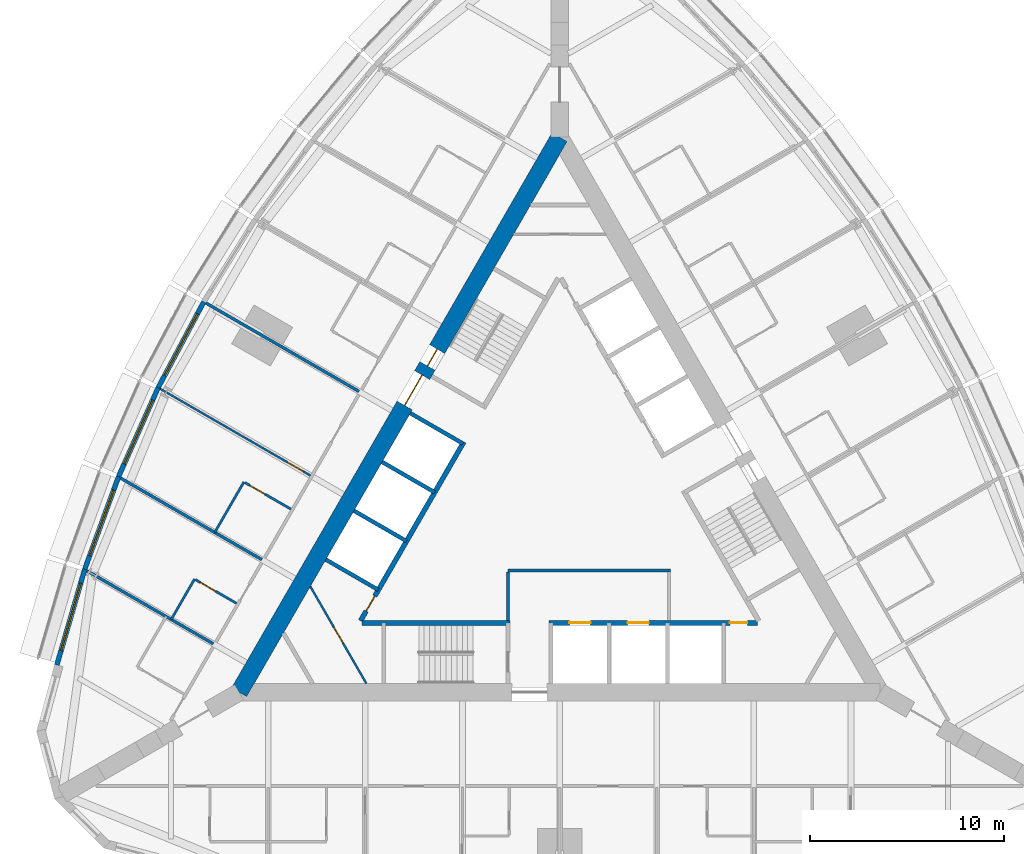
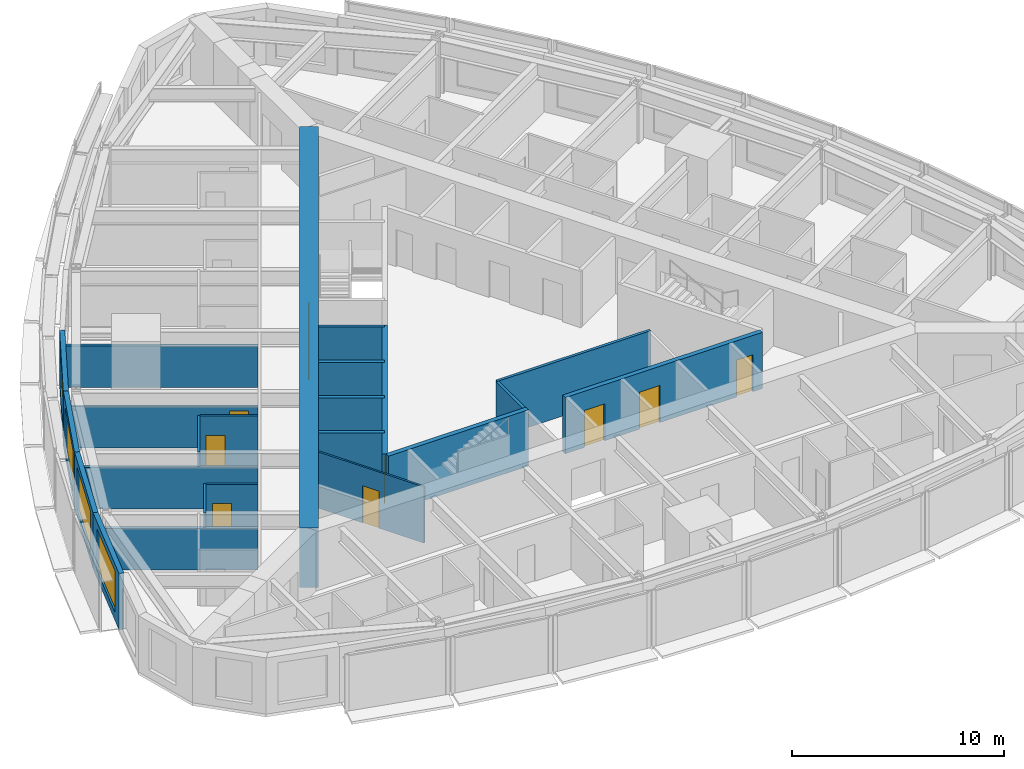
# One storey, part 9 of 14: 23 walls, 10 doors, 4 windows, 14 openings.
"""IFC4 building model written with IfcOpenShell, lengths in metres."""

from ifc_helpers import new_model, si_unit, direction, frame, frame_2d, origin, place, context, subcontext, project, spatial, rectangle, extrude, material, layer, layer_set, type_object, element, fill, save


model = new_model("IFC4")

# Units and contexts
model_context = context("Model", 3, precision=1e-05, world=origin(), true_north=direction((0.0, 1.0)))
body_context = subcontext(model_context, "Body", "Model", "MODEL_VIEW")
ifc_project = project(units=[si_unit("LENGTHUNIT", "METRE"), si_unit("AREAUNIT", "SQUARE_METRE"), si_unit("VOLUMEUNIT", "CUBIC_METRE"), si_unit("PLANEANGLEUNIT", "RADIAN"), si_unit("MASSUNIT", "GRAM", prefix="KILO")], contexts=[model_context])

# Site, building, storey
site_placement = place(None, origin())
site = spatial("IfcSite", under=ifc_project, at=site_placement, CompositionType="ELEMENT")
building_placement = place(site_placement, origin())
building = spatial("IfcBuilding", under=site, at=building_placement, Name="Trikona Tower", CompositionType="ELEMENT")
storey_placement = place(building_placement, frame((0.0, 0.0, 141.89990234375)))
storey = spatial("IfcBuildingStorey", under=building, at=storey_placement, Name="L37", CompositionType="ELEMENT", Elevation=141.89990234375)

# Wall
ifc_material_1 = material(Name="Metal stud and cement board", Category="gypsum")
ifc_layer_1 = layer(ifc_material_1, 0.1201171875)
ifc_layer_set_1 = layer_set([ifc_layer_1], Name="Bathroom wall 120")
wall_type_1 = type_object("IfcWallType", Name="Bathroom wall 120", PredefinedType="PLUMBINGWALL", material=ifc_layer_set_1)
wall_1_placement = place(storey_placement, frame((-16.25341796875, 1.301025390625, 0.0), z_axis=(0.0, 0.0, 1.0), x_axis=(-0.499990139034, -0.866031096941, 0.0)))
element("IfcWall", 1, at=wall_1_placement, inside=storey, type_object=wall_type_1, Name="Bathroom wall 3714.1", PredefinedType="PLUMBINGWALL", context=body_context, shape_type="SweptSolid", body=[
    extrude(rectangle(XDim=3.0, YDim=0.1201171875, at=frame_2d((1.5, 0.0))), origin(), (0.0, 0.0, 1.0), 3.235107421875),
])

# Wall, opening, door
wall_2_placement = place(storey_placement, frame((-13.82861328125, -0.09912109375, 0.0), z_axis=(0.0, 0.0, 1.0), x_axis=(-0.865997131366, 0.500048966069, 0.0)))
wall_2 = element("IfcWall", 2, at=wall_2_placement, inside=storey, type_object=wall_type_1, Name="Bathroom wall 3714.1", PredefinedType="PLUMBINGWALL", context=body_context, shape_type="SweptSolid", body=[
    extrude(rectangle(XDim=2.739990234375, YDim=0.1201171875, at=frame_2d((1.3701171875, 0.0))), origin(), (0.0, 0.0, 1.0), 3.235107421875),
])
opening_1_placement = place(wall_2_placement, frame((1.550048828125, 0.0, 0.0)))
opening_1 = element("IfcOpeningElement", 3, at=opening_1_placement, cuts=wall_2, Name="Opening D2", PredefinedType="OPENING", context=body_context, shape_type="SweptSolid", body=[
    extrude(rectangle(XDim=0.89990234375, YDim=2.1298828125, at=frame_2d((0.449951171875, 1.06494140625))), frame((0.0, 0.070068359375, 0.0), z_axis=(0.0, -1.0, 0.0), x_axis=(1.0, 0.0, 0.0)), (0.0, 0.0, 1.0), 0.14013671875),
])
ifc_material_2 = material(Name="Steel door frame with solid-core timber leaf", Category="steel")
door_type_1 = type_object("IfcDoorType", Name="Bathroom door 900x2130", OperationType="SLIDING_TO_LEFT", PredefinedType="DOOR", material=ifc_material_2)
door_1_placement = place(opening_1_placement, origin())
door_1 = element("IfcDoor", 4, at=door_1_placement, inside=storey, type_object=door_type_1, Name="Bathroom door 3714.1", OperationType="SLIDING_TO_LEFT", OverallHeight=2.1298828125, OverallWidth=0.89990234375, PredefinedType="DOOR", context=body_context, shape_type="SweptSolid", body=[
    extrude(rectangle(XDim=0.89990234375, YDim=2.1298828125, at=frame_2d((0.449951171875, 1.06494140625))), frame((0.0, 0.02490234375, 0.0), z_axis=(0.0, -1.0, 0.0), x_axis=(1.0, 0.0, 0.0)), (0.0, 0.0, 1.0), 0.050048828125),
])
fill(opening_1, door_1)

# Wall
wall_3_placement = place(storey_placement, frame((-18.79345703125, -3.69873046875, 0.0), z_axis=(0.0, 0.0, 1.0), x_axis=(-0.500001309137, -0.866024647952, 0.0)))
element("IfcWall", 5, at=wall_3_placement, inside=storey, type_object=wall_type_1, Name="Bathroom wall 3715", PredefinedType="PLUMBINGWALL", context=body_context, shape_type="SweptSolid", body=[
    extrude(rectangle(XDim=2.39990234375, YDim=0.1201171875, at=frame_2d((1.199951171875, 0.0))), origin(), (0.0, 0.0, 1.0), 3.235107421875),
])

# Wall, opening, door
wall_4_placement = place(storey_placement, frame((-16.62841796875, -4.94873046875, 0.0), z_axis=(0.0, 0.0, 1.0), x_axis=(-0.866048967903, 0.499959183527, 0.0)))
wall_4 = element("IfcWall", 6, at=wall_4_placement, inside=storey, type_object=wall_type_1, Name="Bathroom wall 3715", PredefinedType="PLUMBINGWALL", context=body_context, shape_type="SweptSolid", body=[
    extrude(rectangle(XDim=2.440185546875, YDim=0.1201171875, at=frame_2d((1.22021484375, 0.0))), origin(), (0.0, 0.0, 1.0), 3.235107421875),
])
opening_2_placement = place(wall_4_placement, frame((1.25, 0.0, 0.0)))
opening_2 = element("IfcOpeningElement", 7, at=opening_2_placement, cuts=wall_4, Name="Opening D2", PredefinedType="OPENING", context=body_context, shape_type="SweptSolid", body=[
    extrude(rectangle(XDim=0.89990234375, YDim=2.1298828125, at=frame_2d((0.449951171875, 1.06494140625))), frame((0.0, 0.070068359375, 0.0), z_axis=(0.0, -1.0, 0.0), x_axis=(1.0, 0.0, 0.0)), (0.0, 0.0, 1.0), 0.14013671875),
])
door_2_placement = place(opening_2_placement, origin())
door_2 = element("IfcDoor", 8, at=door_2_placement, inside=storey, type_object=door_type_1, Name="Bathroom door 3715", OperationType="SLIDING_TO_LEFT", OverallHeight=2.1298828125, OverallWidth=0.89990234375, PredefinedType="DOOR", context=body_context, shape_type="SweptSolid", body=[
    extrude(rectangle(XDim=0.89990234375, YDim=2.1298828125, at=frame_2d((0.449951171875, 1.06494140625))), frame((0.0, 0.02490234375, 0.0), z_axis=(0.0, -1.0, 0.0), x_axis=(1.0, 0.0, 0.0)), (0.0, 0.0, 1.0), 0.050048828125),
])
fill(opening_2, door_2)

# Wall, openings, doors
ifc_material_3 = material(Name="Concrete f'c 10000 psi", Category="concrete")
ifc_layer_2 = layer(ifc_material_3, 0.89990234375)
ifc_layer_set_2 = layer_set([ifc_layer_2], Name="Core wall 900")
wall_type_2 = type_object("IfcWallType", Name="Core wall 900", PredefinedType="SHEAR", material=ifc_layer_set_2)
wall_5_placement = place(storey_placement, frame((0.0, 19.052490234375, 0.0), z_axis=(0.0, 0.0, 1.0), x_axis=(-0.499999749417, -0.866025548458, 0.0)))
wall_5 = element("IfcWall", 9, at=wall_5_placement, inside=storey, type_object=wall_type_2, Name="Core wall C", PredefinedType="SHEAR", context=body_context, shape_type="SweptSolid", body=[
    extrude(rectangle(XDim=33.0, YDim=0.89990234375, at=frame_2d((16.5, 0.0))), origin(), (0.0, 0.0, 1.0), 3.400146484375),
])
opening_3_placement = place(wall_5_placement, frame((14.14990234375, 0.0, 0.0)))
opening_3 = element("IfcOpeningElement", 10, at=opening_3_placement, cuts=wall_5, Name="Opening D6", PredefinedType="OPENING", context=body_context, shape_type="SweptSolid", body=[
    extrude(rectangle(XDim=1.800048828125, YDim=2.1298828125, at=frame_2d((0.89990234375, 1.06494140625))), frame((0.0, 0.4599609375, 0.0), z_axis=(0.0, -1.0, 0.0), x_axis=(1.0, 0.0, 0.0)), (0.0, 0.0, 1.0), 0.919921875),
])
opening_4_placement = place(wall_5_placement, frame((12.60009765625, 0.0, 0.0)))
opening_4 = element("IfcOpeningElement", 11, at=opening_4_placement, cuts=wall_5, Name="Opening D5", PredefinedType="OPENING", context=body_context, shape_type="SweptSolid", body=[
    extrude(rectangle(XDim=1.0, YDim=2.1298828125, at=frame_2d((0.5, 1.06494140625))), frame((0.0, 0.4599609375, 0.0), z_axis=(0.0, -1.0, 0.0), x_axis=(1.0, 0.0, 0.0)), (0.0, 0.0, 1.0), 0.919921875),
])
ifc_material_4 = material(Name="Hollow metal door and frame", Category="steel")
door_type_2 = type_object("IfcDoorType", Name="Lobby door pair 1800x2130", OperationType="DOUBLE_DOOR_SINGLE_SWING", PredefinedType="DOOR", material=ifc_material_4)
door_3_placement = place(opening_3_placement, origin())
door_3 = element("IfcDoor", 12, at=door_3_placement, inside=storey, type_object=door_type_2, Name="Lift lobby door C", OperationType="DOUBLE_DOOR_SINGLE_SWING", OverallHeight=2.1298828125, OverallWidth=1.800048828125, PredefinedType="DOOR", context=body_context, shape_type="SweptSolid", body=[
    extrude(rectangle(XDim=1.800048828125, YDim=2.1298828125, at=frame_2d((0.89990234375, 1.06494140625))), frame((0.0, 0.02490234375, 0.0), z_axis=(0.0, -1.0, 0.0), x_axis=(1.0, 0.0, 0.0)), (0.0, 0.0, 1.0), 0.050048828125),
])
fill(opening_3, door_3)
ifc_material_5 = material(Name="Hollow metal door and frame", Category="steel")
door_type_3 = type_object("IfcDoorType", Name="Stair door 1000x2130", OperationType="SINGLE_SWING_LEFT", PredefinedType="DOOR", material=ifc_material_5)
door_4_placement = place(opening_4_placement, origin())
door_4 = element("IfcDoor", 13, at=door_4_placement, inside=storey, type_object=door_type_3, Name="Stair C door", OperationType="SINGLE_SWING_RIGHT", OverallHeight=2.1298828125, OverallWidth=1.0, PredefinedType="DOOR", context=body_context, shape_type="SweptSolid", body=[
    extrude(rectangle(XDim=1.0, YDim=2.1298828125, at=frame_2d((0.5, 1.06494140625))), frame((0.0, 0.02490234375, 0.0), z_axis=(0.0, -1.0, 0.0), x_axis=(1.0, 0.0, 0.0)), (0.0, 0.0, 1.0), 0.050048828125),
])
fill(opening_4, door_4)

# Wall
ifc_material_6 = material(Name="Concrete f'c 8000 psi", Category="concrete")
ifc_layer_3 = layer(ifc_material_6, 0.25)
ifc_layer_set_3 = layer_set([ifc_layer_3], Name="Hub wall 250")
wall_type_3 = type_object("IfcWallType", Name="Hub wall 250", PredefinedType="SOLIDWALL", material=ifc_layer_set_3)
wall_6_placement = place(storey_placement, frame((-10.182861328125, -5.951416015625, 0.0), z_axis=(0.0, 0.0, 1.0), x_axis=(1.0, 0.0, 0.0)))
element("IfcWall", 14, at=wall_6_placement, inside=storey, type_object=wall_type_3, Name="Lift lobby wall A1", PredefinedType="SOLIDWALL", context=body_context, shape_type="SweptSolid", body=[
    extrude(rectangle(XDim=7.6328125, YDim=0.25, at=frame_2d((3.81640625, 0.0))), origin(), (0.0, 0.0, 1.0), 3.235107421875),
])

# Wall, openings, doors
wall_7_placement = place(storey_placement, frame((-0.550048828125, -5.951416015625, 0.0), z_axis=(0.0, 0.0, 1.0), x_axis=(1.0, 0.0, 0.0)))
wall_7 = element("IfcWall", 15, at=wall_7_placement, inside=storey, type_object=wall_type_3, Name="Lift lobby wall A2", PredefinedType="SOLIDWALL", context=body_context, shape_type="SweptSolid", body=[
    extrude(rectangle(XDim=10.73291015625, YDim=0.25, at=frame_2d((5.366455078125, 0.0))), origin(), (0.0, 0.0, 1.0), 3.235107421875),
])
opening_5_placement = place(wall_7_placement, frame((9.31396484375, 0.0, 0.0)))
opening_5 = element("IfcOpeningElement", 16, at=opening_5_placement, cuts=wall_7, Name="Opening D14", PredefinedType="OPENING", context=body_context, shape_type="SweptSolid", body=[
    extrude(rectangle(XDim=0.89990234375, YDim=2.1298828125, at=frame_2d((0.449951171875, 1.06494140625))), frame((0.0, 0.135009765625, 0.0), z_axis=(0.0, -1.0, 0.0), x_axis=(1.0, 0.0, 0.0)), (0.0, 0.0, 1.0), 0.27001953125),
])
opening_6_placement = place(wall_7_placement, frame((1.050048828125, 0.0, 0.0)))
opening_6 = element("IfcOpeningElement", 17, at=opening_6_placement, cuts=wall_7, Name="Opening LD", PredefinedType="OPENING", context=body_context, shape_type="SweptSolid", body=[
    extrude(rectangle(XDim=1.10009765625, YDim=2.1298828125, at=frame_2d((0.550048828125, 1.06494140625))), frame((0.0, 0.135009765625, 0.0), z_axis=(0.0, -1.0, 0.0), x_axis=(1.0, 0.0, 0.0)), (0.0, 0.0, 1.0), 0.27001953125),
])
opening_7_placement = place(wall_7_placement, frame((4.050048828125, 0.0, 0.0)))
opening_7 = element("IfcOpeningElement", 18, at=opening_7_placement, cuts=wall_7, Name="Opening LD", PredefinedType="OPENING", context=body_context, shape_type="SweptSolid", body=[
    extrude(rectangle(XDim=1.10009765625, YDim=2.1298828125, at=frame_2d((0.550048828125, 1.06494140625))), frame((0.0, 0.135009765625, 0.0), z_axis=(0.0, -1.0, 0.0), x_axis=(1.0, 0.0, 0.0)), (0.0, 0.0, 1.0), 0.27001953125),
])
ifc_material_7 = material(Name="Stainless steel lift landing door", Category="steel")
door_type_4 = type_object("IfcDoorType", Name="Lift landing door 1100x2130", OperationType="DOUBLE_DOOR_SLIDING", PredefinedType="USERDEFINED", material=ifc_material_7)
door_5_placement = place(opening_6_placement, origin())
door_5 = element("IfcDoor", 19, at=door_5_placement, inside=storey, type_object=door_type_4, Name="Lift landing door FF1", ObjectType="LIFT LANDING DOOR", OperationType="DOUBLE_DOOR_SLIDING", OverallHeight=2.1298828125, OverallWidth=1.10009765625, PredefinedType="USERDEFINED", context=body_context, shape_type="SweptSolid", body=[
    extrude(rectangle(XDim=1.10009765625, YDim=2.1298828125, at=frame_2d((0.550048828125, 1.06494140625))), frame((0.0, 0.02490234375, 0.0), z_axis=(0.0, -1.0, 0.0), x_axis=(1.0, 0.0, 0.0)), (0.0, 0.0, 1.0), 0.050048828125),
])
fill(opening_6, door_5)
door_6_placement = place(opening_7_placement, origin())
door_6 = element("IfcDoor", 20, at=door_6_placement, inside=storey, type_object=door_type_4, Name="Lift landing door FF2", ObjectType="LIFT LANDING DOOR", OperationType="DOUBLE_DOOR_SLIDING", OverallHeight=2.1298828125, OverallWidth=1.10009765625, PredefinedType="USERDEFINED", context=body_context, shape_type="SweptSolid", body=[
    extrude(rectangle(XDim=1.10009765625, YDim=2.1298828125, at=frame_2d((0.550048828125, 1.06494140625))), frame((0.0, 0.02490234375, 0.0), z_axis=(0.0, -1.0, 0.0), x_axis=(1.0, 0.0, 0.0)), (0.0, 0.0, 1.0), 0.050048828125),
])
fill(opening_7, door_6)
ifc_material_8 = material(Name="Hollow metal door and frame", Category="steel")
door_type_5 = type_object("IfcDoorType", Name="Service room door 900x2130", OperationType="SINGLE_SWING_LEFT", PredefinedType="DOOR", material=ifc_material_8)
door_7_placement = place(opening_5_placement, origin())
door_7 = element("IfcDoor", 21, at=door_7_placement, inside=storey, type_object=door_type_5, Name="Door Ice and vending ICE", OperationType="SINGLE_SWING_RIGHT", OverallHeight=2.1298828125, OverallWidth=0.89990234375, PredefinedType="DOOR", context=body_context, shape_type="SweptSolid", body=[
    extrude(rectangle(XDim=0.89990234375, YDim=2.1298828125, at=frame_2d((0.449951171875, 1.06494140625))), frame((0.0, 0.02490234375, 0.0), z_axis=(0.0, -1.0, 0.0), x_axis=(1.0, 0.0, 0.0)), (0.0, 0.0, 1.0), 0.050048828125),
])
fill(opening_5, door_7)

# Wall, opening, door
wall_8_placement = place(storey_placement, frame((-4.928955078125, 3.365478515625, 0.0), z_axis=(0.0, 0.0, 1.0), x_axis=(-0.499991433582, -0.866030349552, 0.0)))
wall_8 = element("IfcWall", 22, at=wall_8_placement, inside=storey, type_object=wall_type_3, Name="Lift lobby wall C2", PredefinedType="SOLIDWALL", context=body_context, shape_type="SweptSolid", body=[
    extrude(rectangle(XDim=10.633056640625, YDim=0.25, at=frame_2d((5.31640625, 0.0))), origin(), (0.0, 0.0, 1.0), 3.235107421875),
])
opening_8_placement = place(wall_8_placement, frame((9.1640625, 0.0, 0.0)))
opening_8 = element("IfcOpeningElement", 23, at=opening_8_placement, cuts=wall_8, Name="Opening D14", PredefinedType="OPENING", context=body_context, shape_type="SweptSolid", body=[
    extrude(rectangle(XDim=0.89990234375, YDim=2.1298828125, at=frame_2d((0.449951171875, 1.06494140625))), frame((0.0, 0.135009765625, 0.0), z_axis=(0.0, -1.0, 0.0), x_axis=(1.0, 0.0, 0.0)), (0.0, 0.0, 1.0), 0.27001953125),
])
door_8_placement = place(opening_8_placement, origin())
door_8 = element("IfcDoor", 24, at=door_8_placement, inside=storey, type_object=door_type_5, Name="Door Linen store LIN", OperationType="SINGLE_SWING_RIGHT", OverallHeight=2.1298828125, OverallWidth=0.89990234375, PredefinedType="DOOR", context=body_context, shape_type="SweptSolid", body=[
    extrude(rectangle(XDim=0.89990234375, YDim=2.1298828125, at=frame_2d((0.449951171875, 1.06494140625))), frame((0.0, 0.02490234375, 0.0), z_axis=(0.0, -1.0, 0.0), x_axis=(1.0, 0.0, 0.0)), (0.0, 0.0, 1.0), 0.050048828125),
])
fill(opening_8, door_8)

# Wall, opening, window
ifc_material_9 = material(Name="Insulated precast concrete spandrel panel", Category="concrete")
ifc_layer_4 = layer(ifc_material_9, 0.25)
ifc_layer_set_4 = layer_set([ifc_layer_4], Name="Inner skin wall 250")
wall_type_4 = type_object("IfcWallType", Name="Inner skin wall 250", PredefinedType="STANDARD", material=ifc_layer_set_4)
wall_9_placement = place(storey_placement, frame((-18.314453125, 10.578857421875, 0.0), z_axis=(0.0, 0.0, 1.0), x_axis=(-0.469404966864, -0.882982999317, 0.0)))
wall_9 = element("IfcWall", 25, at=wall_9_placement, inside=storey, type_object=wall_type_4, Name="External wall L37-28", PredefinedType="STANDARD", context=body_context, shape_type="SweptSolid", body=[
    extrude(rectangle(XDim=5.0029296875, YDim=0.25, at=frame_2d((2.50146484375, 0.0))), origin(), (0.0, 0.0, 1.0), 3.235107421875),
])
opening_9_placement = place(wall_9_placement, frame((0.701416015625, 0.0, 0.449951171875)))
opening_9 = element("IfcOpeningElement", 26, at=opening_9_placement, cuts=wall_9, Name="Opening W3624", PredefinedType="OPENING", context=body_context, shape_type="SweptSolid", body=[
    extrude(rectangle(XDim=3.60009765625, YDim=2.39990234375, at=frame_2d((1.800048828125, 1.199951171875))), frame((0.0, 0.135009765625, 0.0), z_axis=(0.0, -1.0, 0.0), x_axis=(1.0, 0.0, 0.0)), (0.0, 0.0, 1.0), 0.27001953125),
])
ifc_material_10 = material(Name="Aluminium-framed double glazing", Category="aluminium")
window_type = type_object("IfcWindowType", Name="Window 3600x2400", PartitioningType="SINGLE_PANEL", PredefinedType="WINDOW", material=ifc_material_10)
window_1_placement = place(opening_9_placement, origin())
window_1 = element("IfcWindow", 27, at=window_1_placement, inside=storey, type_object=window_type, Name="Window 3714", OverallHeight=2.39990234375, OverallWidth=3.60009765625, PartitioningType="SINGLE_PANEL", PredefinedType="WINDOW", context=body_context, shape_type="SweptSolid", body=[
    extrude(rectangle(XDim=3.60009765625, YDim=2.39990234375, at=frame_2d((1.800048828125, 1.199951171875))), frame((0.0, 0.030029296875, 0.0), z_axis=(0.0, -1.0, 0.0), x_axis=(1.0, 0.0, 0.0)), (0.0, 0.0, 1.0), 0.06005859375),
])
fill(opening_9, window_1)

wall_10_placement = place(storey_placement, frame((-20.6591796875, 6.169189453125, 0.0), z_axis=(0.0, 0.0, 1.0), x_axis=(-0.406832200364, -0.913502906808, 0.0)))
wall_10 = element("IfcWall", 28, at=wall_10_placement, inside=storey, type_object=wall_type_4, Name="External wall L37-29", PredefinedType="STANDARD", context=body_context, shape_type="SweptSolid", body=[
    extrude(rectangle(XDim=5.027587890625, YDim=0.25, at=frame_2d((2.513671875, 0.0))), origin(), (0.0, 0.0, 1.0), 3.235107421875),
])
opening_10_placement = place(wall_10_placement, frame((0.713623046875, 0.0, 0.449951171875)))
opening_10 = element("IfcOpeningElement", 29, at=opening_10_placement, cuts=wall_10, Name="Opening W3624", PredefinedType="OPENING", context=body_context, shape_type="SweptSolid", body=[
    extrude(rectangle(XDim=3.60009765625, YDim=2.39990234375, at=frame_2d((1.800048828125, 1.199951171875))), frame((0.0, 0.135009765625, 0.0), z_axis=(0.0, -1.0, 0.0), x_axis=(1.0, 0.0, 0.0)), (0.0, 0.0, 1.0), 0.27001953125),
])
window_2_placement = place(opening_10_placement, origin())
window_2 = element("IfcWindow", 30, at=window_2_placement, inside=storey, type_object=window_type, Name="Window 3714.1", OverallHeight=2.39990234375, OverallWidth=3.60009765625, PartitioningType="SINGLE_PANEL", PredefinedType="WINDOW", context=body_context, shape_type="SweptSolid", body=[
    extrude(rectangle(XDim=3.60009765625, YDim=2.39990234375, at=frame_2d((1.800048828125, 1.199951171875))), frame((0.0, 0.030029296875, 0.0), z_axis=(0.0, -1.0, 0.0), x_axis=(1.0, 0.0, 0.0)), (0.0, 0.0, 1.0), 0.06005859375),
])
fill(opening_10, window_2)

wall_11_placement = place(storey_placement, frame((-22.701416015625, 1.58447265625, 0.0), z_axis=(0.0, 0.0, 1.0), x_axis=(-0.343225593282, -0.939252996863, 0.0)))
wall_11 = element("IfcWall", 31, at=wall_11_placement, inside=storey, type_object=wall_type_4, Name="External wall L37-30", PredefinedType="STANDARD", context=body_context, shape_type="SweptSolid", body=[
    extrude(rectangle(XDim=5.075927734375, YDim=0.25, at=frame_2d((2.5380859375, 0.0))), origin(), (0.0, 0.0, 1.0), 3.235107421875),
])
opening_11_placement = place(wall_11_placement, frame((0.738037109375, 0.0, 0.449951171875)))
opening_11 = element("IfcOpeningElement", 32, at=opening_11_placement, cuts=wall_11, Name="Opening W3624", PredefinedType="OPENING", context=body_context, shape_type="SweptSolid", body=[
    extrude(rectangle(XDim=3.60009765625, YDim=2.39990234375, at=frame_2d((1.800048828125, 1.199951171875))), frame((0.0, 0.135009765625, 0.0), z_axis=(0.0, -1.0, 0.0), x_axis=(1.0, 0.0, 0.0)), (0.0, 0.0, 1.0), 0.27001953125),
])
window_3_placement = place(opening_11_placement, origin())
window_3 = element("IfcWindow", 33, at=window_3_placement, inside=storey, type_object=window_type, Name="Window 3715", OverallHeight=2.39990234375, OverallWidth=3.60009765625, PartitioningType="SINGLE_PANEL", PredefinedType="WINDOW", context=body_context, shape_type="SweptSolid", body=[
    extrude(rectangle(XDim=3.60009765625, YDim=2.39990234375, at=frame_2d((1.800048828125, 1.199951171875))), frame((0.0, 0.030029296875, 0.0), z_axis=(0.0, -1.0, 0.0), x_axis=(1.0, 0.0, 0.0)), (0.0, 0.0, 1.0), 0.06005859375),
])
fill(opening_11, window_3)

wall_12_placement = place(storey_placement, frame((-24.44091796875, -3.17529296875, 0.0), z_axis=(0.0, 0.0, 1.0), x_axis=(-0.279528287117, -0.960137457191, 0.0)))
wall_12 = element("IfcWall", 34, at=wall_12_placement, inside=storey, type_object=wall_type_4, Name="External wall L37-31", PredefinedType="STANDARD", context=body_context, shape_type="SweptSolid", body=[
    extrude(rectangle(XDim=5.14794921875, YDim=0.25, at=frame_2d((2.573974609375, 0.0))), origin(), (0.0, 0.0, 1.0), 3.235107421875),
])
opening_12_placement = place(wall_12_placement, frame((0.77392578125, 0.0, 0.449951171875)))
opening_12 = element("IfcOpeningElement", 35, at=opening_12_placement, cuts=wall_12, Name="Opening W3624", PredefinedType="OPENING", context=body_context, shape_type="SweptSolid", body=[
    extrude(rectangle(XDim=3.60009765625, YDim=2.39990234375, at=frame_2d((1.800048828125, 1.199951171875))), frame((0.0, 0.135009765625, 0.0), z_axis=(0.0, -1.0, 0.0), x_axis=(1.0, 0.0, 0.0)), (0.0, 0.0, 1.0), 0.27001953125),
])
window_4_placement = place(opening_12_placement, origin())
window_4 = element("IfcWindow", 36, at=window_4_placement, inside=storey, type_object=window_type, Name="Window 3716", OverallHeight=2.39990234375, OverallWidth=3.60009765625, PartitioningType="SINGLE_PANEL", PredefinedType="WINDOW", context=body_context, shape_type="SweptSolid", body=[
    extrude(rectangle(XDim=3.60009765625, YDim=2.39990234375, at=frame_2d((1.800048828125, 1.199951171875))), frame((0.0, 0.030029296875, 0.0), z_axis=(0.0, -1.0, 0.0), x_axis=(1.0, 0.0, 0.0)), (0.0, 0.0, 1.0), 0.06005859375),
])
fill(opening_12, window_4)

# Walls
ifc_material_11 = material(Name="Metal stud and gypsum board, 2-hour shaft wall", Category="gypsum")
ifc_layer_5 = layer(ifc_material_11, 0.14990234375)
ifc_layer_set_5 = layer_set([ifc_layer_5], Name="Lobby wall 150")
wall_type_5 = type_object("IfcWallType", Name="Lobby wall 150", PredefinedType="PARTITIONING", material=ifc_layer_set_5)
wall_13_placement = place(storey_placement, frame((-2.64990234375, -3.251220703125, 0.0), z_axis=(0.0, 0.0, 1.0), x_axis=(1.0, 0.0, 0.0)))
element("IfcWall", 37, at=wall_13_placement, inside=storey, type_object=wall_type_5, Name="Fire service lift lobby wall 1", PredefinedType="PARTITIONING", context=body_context, shape_type="SweptSolid", body=[
    extrude(rectangle(XDim=8.349853515625, YDim=0.14990234375, at=frame_2d((4.1748046875, 0.0))), origin(), (0.0, 0.0, 1.0), 3.235107421875),
])
wall_14_placement = place(storey_placement, frame((-2.64990234375, -5.826416015625, 0.0), z_axis=(0.0, 0.0, 1.0), x_axis=(0.0, 1.0, 0.0)))
element("IfcWall", 38, at=wall_14_placement, inside=storey, type_object=wall_type_5, Name="Fire service lift lobby wall 2", PredefinedType="PARTITIONING", context=body_context, shape_type="SweptSolid", body=[
    extrude(rectangle(XDim=2.5, YDim=0.14990234375, at=frame_2d((1.25, 0.0))), origin(), (0.0, 0.0, 1.0), 3.235107421875),
])
ifc_material_12 = material(Name="Metal stud and gypsum board, 1-hour acoustic", Category="gypsum")
ifc_layer_6 = layer(ifc_material_12, 0.14990234375)
ifc_layer_set_6 = layer_set([ifc_layer_6], Name="Party wall 150")
wall_type_6 = type_object("IfcWallType", Name="Party wall 150", PredefinedType="PARTITIONING", material=ifc_layer_set_6)
wall_15_placement = place(storey_placement, frame((-10.32861328125, 5.963134765625, 0.0), z_axis=(0.0, 0.0, 1.0), x_axis=(-0.866025170687, 0.500000403736, 0.0)))
element("IfcWall", 39, at=wall_15_placement, inside=storey, type_object=wall_type_6, Name="Partition L37 F3 u0", PredefinedType="PARTITIONING", context=body_context, shape_type="SweptSolid", body=[
    extrude(rectangle(XDim=9.0986328125, YDim=0.14990234375, at=frame_2d((4.54931640625, 0.0))), origin(), (0.0, 0.0, 1.0), 2.389404296875),
])
wall_16_placement = place(storey_placement, frame((-15.32861328125, -2.697021484375, 0.0), z_axis=(0.0, 0.0, 1.0), x_axis=(-0.866024316602, 0.50000188305, 0.0)))
element("IfcWall", 40, at=wall_16_placement, inside=storey, type_object=wall_type_6, Name="Partition L37 F3 u10", PredefinedType="PARTITIONING", context=body_context, shape_type="SweptSolid", body=[
    extrude(rectangle(XDim=8.39501953125, YDim=0.14990234375, at=frame_2d((4.197509765625, 0.0))), origin(), (0.0, 0.0, 1.0), 2.389404296875),
])
wall_17_placement = place(storey_placement, frame((-17.82861328125, -7.027099609375, 0.0), z_axis=(0.0, 0.0, 1.0), x_axis=(-0.866029804378, 0.499992377871, 0.0)))
element("IfcWall", 41, at=wall_17_placement, inside=storey, type_object=wall_type_6, Name="Partition L37 F3 u15", PredefinedType="PARTITIONING", context=body_context, shape_type="SweptSolid", body=[
    extrude(rectangle(XDim=7.51611328125, YDim=0.14990234375, at=frame_2d((3.758056640625, 0.0))), origin(), (0.0, 0.0, 1.0), 2.389404296875),
])
ifc_material_13 = material(Name="Concrete f'c 8000 psi", Category="concrete")
ifc_layer_7 = layer(ifc_material_13, 0.199951171875)
ifc_layer_set_7 = layer_set([ifc_layer_7], Name="Shaft wall 200")
wall_type_7 = type_object("IfcWallType", Name="Shaft wall 200", PredefinedType="SOLIDWALL", material=ifc_layer_set_7)
for number, where, z_axis, x_axis, name in (
    (42, (-4.97900390625, 3.27880859375, 0.0), (0.0, 0.0, 1.0), (-0.866022959057, 0.500004234368, 0.0), "Shaft wall C3"),
    (43, (-6.428955078125, 0.767333984375, 0.0), (0.0, 0.0, 1.0), (-0.866022959057, 0.500004234368, 0.0), "Shaft wall C4"),
    (44, (-7.87890625, -1.744140625, 0.0), (0.0, 0.0, 1.0), (-0.866022959057, 0.500004234368, 0.0), "Shaft wall C5"),
    (45, (-9.3291015625, -4.255615234375, 0.0), (0.0, 0.0, 1.0), (-0.866022959057, 0.500004234368, 0.0), "Shaft wall C6"),
):
    element("IfcWall", number, at=place(storey_placement, frame(where, z_axis=z_axis, x_axis=x_axis)), inside=storey, type_object=wall_type_7, Name=name, PredefinedType="SOLIDWALL", context=body_context, shape_type="SweptSolid", body=[
        extrude(rectangle(XDim=3.125, YDim=0.199951171875, at=frame_2d((1.5625, 0.0))), origin(), (0.0, 0.0, 1.0), 3.235107421875),
    ])

# Wall, opening, door
ifc_material_14 = material(Name="Metal stud and gypsum board, acoustic", Category="gypsum")
ifc_layer_8 = layer(ifc_material_14, 0.10009765625)
ifc_layer_set_8 = layer_set([ifc_layer_8], Name="Suite partition 100")
wall_type_8 = type_object("IfcWallType", Name="Suite partition 100", PredefinedType="PARTITIONING", material=ifc_layer_set_8)
wall_18_placement = place(storey_placement, frame((-12.82861328125, 1.633056640625, 0.0), z_axis=(0.0, 0.0, 1.0), x_axis=(-0.866027015393, 0.499997208602, 0.0)))
wall_18 = element("IfcWall", 46, at=wall_18_placement, inside=storey, type_object=wall_type_8, Name="Suite partition L37 F3 u5", PredefinedType="PARTITIONING", context=body_context, shape_type="SweptSolid", body=[
    extrude(rectangle(XDim=8.92236328125, YDim=0.10009765625, at=frame_2d((4.461181640625, 0.0))), origin(), (0.0, 0.0, 1.0), 2.389404296875),
])
opening_13_placement = place(wall_18_placement, frame((0.449951171875, 0.0, 0.0)))
opening_13 = element("IfcOpeningElement", 47, at=opening_13_placement, cuts=wall_18, Name="Opening D13", PredefinedType="OPENING", context=body_context, shape_type="SweptSolid", body=[
    extrude(rectangle(XDim=0.89990234375, YDim=2.1298828125, at=frame_2d((0.449951171875, 1.06494140625))), frame((0.0, 0.06005859375, 0.0), z_axis=(0.0, -1.0, 0.0), x_axis=(1.0, 0.0, 0.0)), (0.0, 0.0, 1.0), 0.1201171875),
])
ifc_material_15 = material(Name="Steel door frame with solid-core timber leaf", Category="steel")
door_type_6 = type_object("IfcDoorType", Name="Suite door 900x2130", OperationType="SINGLE_SWING_LEFT", PredefinedType="DOOR", material=ifc_material_15)
door_9_placement = place(opening_13_placement, origin())
door_9 = element("IfcDoor", 48, at=door_9_placement, inside=storey, type_object=door_type_6, Name="Suite door 3714", OperationType="SINGLE_SWING_LEFT", OverallHeight=2.1298828125, OverallWidth=0.89990234375, PredefinedType="DOOR", context=body_context, shape_type="SweptSolid", body=[
    extrude(rectangle(XDim=0.89990234375, YDim=2.1298828125, at=frame_2d((0.449951171875, 1.06494140625))), frame((0.0, 0.02490234375, 0.0), z_axis=(0.0, -1.0, 0.0), x_axis=(1.0, 0.0, 0.0)), (0.0, 0.0, 1.0), 0.050048828125),
])
fill(opening_13, door_9)

wall_19_placement = place(storey_placement, frame((-9.947021484375, -9.076416015625, 0.0), z_axis=(0.0, 0.0, 1.0), x_axis=(-0.500027479704, 0.866009537788, 0.0)))
wall_19 = element("IfcWall", 49, at=wall_19_placement, inside=storey, type_object=wall_type_8, Name="Store partition L37-RS3", PredefinedType="PARTITIONING", context=body_context, shape_type="SweptSolid", body=[
    extrude(rectangle(XDim=5.773681640625, YDim=0.10009765625, at=frame_2d((2.88671875, 0.0))), origin(), (0.0, 0.0, 1.0), 3.235107421875),
])
opening_14_placement = place(wall_19_placement, frame((2.436767578125, 0.0, 0.0)))
opening_14 = element("IfcOpeningElement", 50, at=opening_14_placement, cuts=wall_19, Name="Opening D15", PredefinedType="OPENING", context=body_context, shape_type="SweptSolid", body=[
    extrude(rectangle(XDim=0.89990234375, YDim=2.1298828125, at=frame_2d((0.449951171875, 1.06494140625))), frame((0.0, 0.06005859375, 0.0), z_axis=(0.0, -1.0, 0.0), x_axis=(1.0, 0.0, 0.0)), (0.0, 0.0, 1.0), 0.1201171875),
])
ifc_material_16 = material(Name="Steel door frame with solid-core timber leaf", Category="steel")
door_type_7 = type_object("IfcDoorType", Name="Store door 900x2130", OperationType="SINGLE_SWING_LEFT", PredefinedType="DOOR", material=ifc_material_16)
door_10_placement = place(opening_14_placement, origin())
door_10 = element("IfcDoor", 51, at=door_10_placement, inside=storey, type_object=door_type_7, Name="Door Amenity store AMS", OperationType="SINGLE_SWING_RIGHT", OverallHeight=2.1298828125, OverallWidth=0.89990234375, PredefinedType="DOOR", context=body_context, shape_type="SweptSolid", body=[
    extrude(rectangle(XDim=0.89990234375, YDim=2.1298828125, at=frame_2d((0.449951171875, 1.06494140625))), frame((0.0, 0.02490234375, 0.0), z_axis=(0.0, -1.0, 0.0), x_axis=(1.0, 0.0, 0.0)), (0.0, 0.0, 1.0), 0.050048828125),
])
fill(opening_14, door_10)

save(model, "model.ifc")
